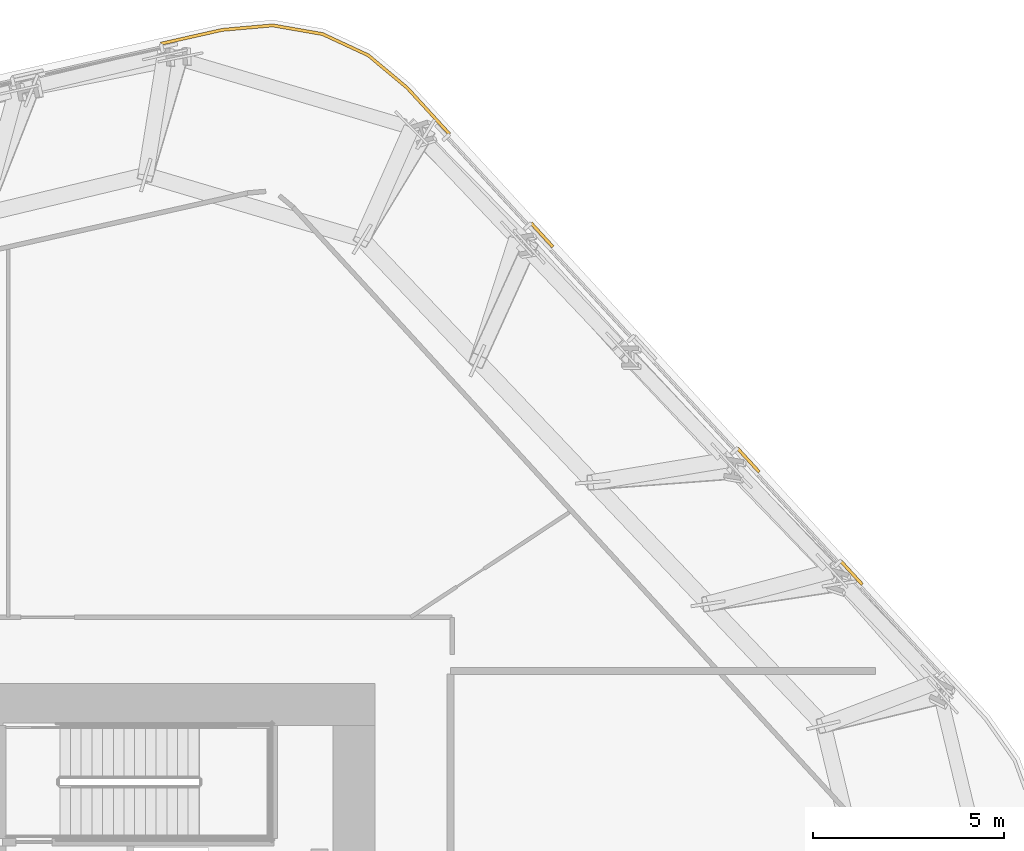
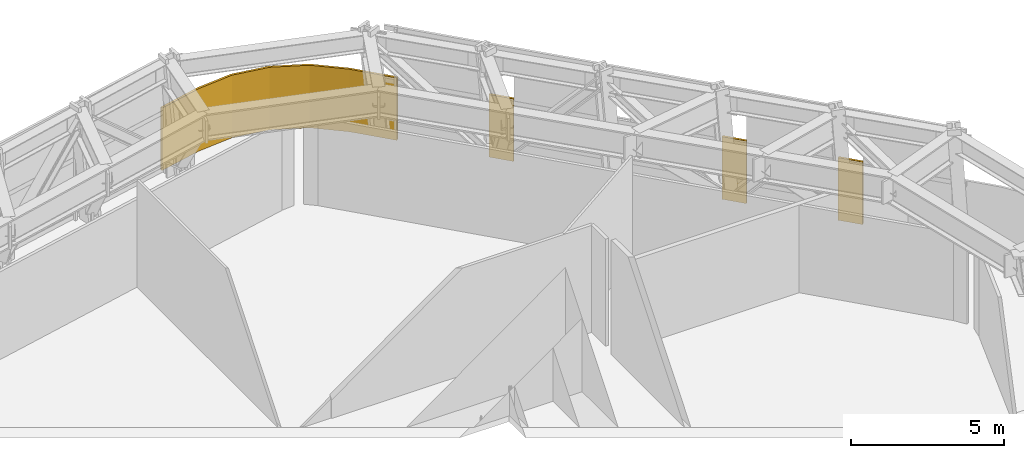
# One storey, part 16 of 16: 4 coverings.
"""IFC4 building model written with IfcOpenShell, lengths in metres."""

from ifc_helpers import new_model, si_unit, direction, frame, origin, place, context, subcontext, project, spatial, polyline, outline, extrude, material, layer, layer_set, type_object, element, save


model = new_model("IFC4")

# Units and contexts
model_context = context("Model", 3, precision=1e-05, world=origin(), true_north=direction((0.0, 1.0)))
body_context = subcontext(model_context, "Body", "Model", "MODEL_VIEW")
ifc_project = project(units=[si_unit("LENGTHUNIT", "METRE"), si_unit("AREAUNIT", "SQUARE_METRE"), si_unit("VOLUMEUNIT", "CUBIC_METRE"), si_unit("PLANEANGLEUNIT", "RADIAN"), si_unit("MASSUNIT", "GRAM", prefix="KILO")], contexts=[model_context])

# Site, building, storey
site_placement = place(None, origin())
site = spatial("IfcSite", under=ifc_project, at=site_placement, CompositionType="ELEMENT")
building_placement = place(site_placement, origin())
building = spatial("IfcBuilding", under=site, at=building_placement, Name="Valkerne Bourse Tower", CompositionType="ELEMENT")
storey_placement = place(building_placement, frame((0.0, 0.0, 77.199951171875)))
storey = spatial("IfcBuildingStorey", under=building, at=storey_placement, Name="L19", CompositionType="ELEMENT", Elevation=77.199951171875)

# Coverings
ifc_material = material(Name="Bronze Anodised Aluminium AA 6063-T6", Category="aluminium")
ifc_layer = layer(ifc_material, 0.06005859375)
ifc_layer_set = layer_set([ifc_layer], Name="Bronze Anodised Aluminium AA 6063-T6")
covering_type = type_object("IfcCoveringType", Name="COV-CRN-ALUM", PredefinedType="CLADDING", material=ifc_layer_set)
covering_1_placement = place(storey_placement, origin())
element("IfcCovering", 1, at=covering_1_placement, inside=storey, type_object=covering_type, Name="L19 Wind-Shaped Corner Aluminium Cladding 21", PredefinedType="CLADDING", context=body_context, shape_type="SweptSolid", body=[
    extrude(outline(polyline([(52.392333984375, 53.39111328125), (53.724609375, 53.510009765625), (55.035888671875, 53.28125), (56.243408203125, 52.720703125), (57.269775390625, 51.862548828125), (58.380615234375, 50.64990234375), (58.32177734375, 50.595947265625), (57.21435546875, 51.8046875), (56.2001953125, 52.652587890625), (55.011962890625, 53.2041015625), (53.72119140625, 53.42919921875), (52.40478515625, 53.31201171875), (50.805419921875, 52.951416015625), (50.787841796875, 53.029296875), (52.392333984375, 53.39111328125)])), origin(), (0.0, 0.0, 1.0), 2.5),
])
covering_2_placement = place(storey_placement, origin())
element("IfcCovering", 2, at=covering_2_placement, inside=storey, type_object=covering_type, Name="L19 Wind-Shaped Corner Aluminium Cladding 22", PredefinedType="CLADDING", context=body_context, shape_type="SweptSolid", body=[
    extrude(outline(polyline([(61.080078125, 47.70361328125), (61.021240234375, 47.6494140625), (60.453857421875, 48.268798828125), (60.5126953125, 48.322998046875), (61.080078125, 47.70361328125)])), origin(), (0.0, 0.0, 1.0), 2.5),
])
covering_3_placement = place(storey_placement, origin())
element("IfcCovering", 3, at=covering_3_placement, inside=storey, type_object=covering_type, Name="L19 Wind-Shaped Corner Aluminium Cladding 24", PredefinedType="CLADDING", context=body_context, shape_type="SweptSolid", body=[
    extrude(outline(polyline([(66.47900390625, 41.81103515625), (66.42041015625, 41.7568359375), (65.852783203125, 42.376220703125), (65.91162109375, 42.430419921875), (66.47900390625, 41.81103515625)])), origin(), (0.0, 0.0, 1.0), 2.5),
])
covering_4_placement = place(storey_placement, origin())
element("IfcCovering", 4, at=covering_4_placement, inside=storey, type_object=covering_type, Name="L19 Wind-Shaped Corner Aluminium Cladding 25", PredefinedType="CLADDING", context=body_context, shape_type="SweptSolid", body=[
    extrude(outline(polyline([(69.1787109375, 38.86474609375), (69.11962890625, 38.810546875), (68.55224609375, 39.429931640625), (68.611083984375, 39.484130859375), (69.1787109375, 38.86474609375)])), origin(), (0.0, 0.0, 1.0), 2.5),
])

save(model, "model.ifc")
